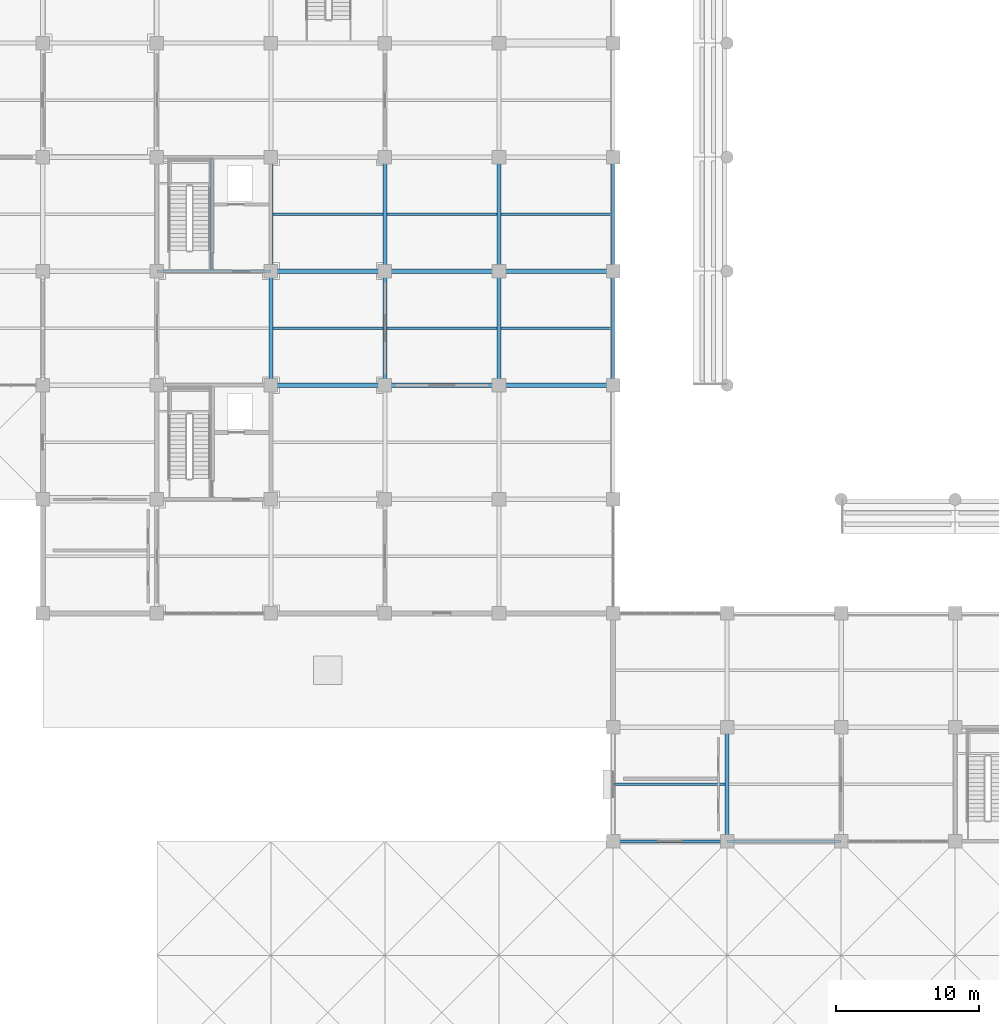
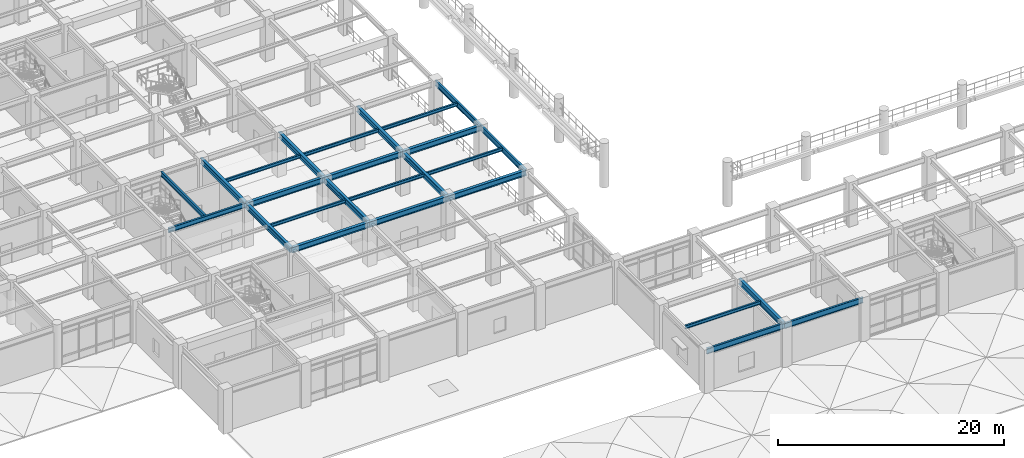
# One storey, part 10 of 109: 26 beams.
"""IFC4 building model written with IfcOpenShell, lengths in metres."""

from ifc_helpers import new_model, si_unit, direction, frame, origin, origin_2d, place, context, subcontext, project, spatial, i_section, extrude, material, material_profile, profile_set, type_object, element, save


model = new_model("IFC4")

# Units and contexts
model_context = context("Model", 3, precision=1e-05, world=origin(), true_north=direction((0.0, 1.0)))
body_context = subcontext(model_context, "Body", "Model", "MODEL_VIEW")
ifc_project = project(units=[si_unit("LENGTHUNIT", "METRE"), si_unit("AREAUNIT", "SQUARE_METRE"), si_unit("VOLUMEUNIT", "CUBIC_METRE"), si_unit("PLANEANGLEUNIT", "RADIAN"), si_unit("MASSUNIT", "GRAM", prefix="KILO")], contexts=[model_context])

# Site, building, storey
site_placement = place(None, origin())
site = spatial("IfcSite", under=ifc_project, at=site_placement, CompositionType="ELEMENT")
building_placement = place(site_placement, origin())
building = spatial("IfcBuilding", under=site, at=building_placement, Name="Haebicheon Civic Stadium", CompositionType="ELEMENT")
storey_placement = place(building_placement, frame((0.0, 0.0, 9.60009765625)))
storey = spatial("IfcBuildingStorey", under=building, at=storey_placement, Name="L03", CompositionType="ELEMENT", Elevation=9.60009765625)

# Beams
ifc_material_1 = material(Name="Steel SM355 (S355)", Category="steel")
ifc_material_profile_1 = material_profile(ifc_material_1, i_section(OverallWidth=0.199951171875, OverallDepth=0.5, WebThickness=0.010009765625, FlangeThickness=0.01611328125, at=origin_2d()), Name="H-500x200x10x16")
ifc_profile_set_1 = profile_set([ifc_material_profile_1], Name="Steel SM355 (S355)")
beam_type_1 = type_object("IfcBeamType", Name="BM-ST-H500", PredefinedType="BEAM", material=ifc_profile_set_1)
beam_1_placement = place(storey_placement, frame((32.0, 56.0, 4.289794921875), z_axis=(1.0, 0.0, 0.0), x_axis=(0.0, 1.0, 0.0)))
element("IfcBeam", 1, at=beam_1_placement, inside=storey, type_object=beam_type_1, material=ifc_profile_set_1, Name="L03 beam H/5-6", PredefinedType="BEAM", context=body_context, shape_type="SweptSolid", body=[
    extrude(i_section(OverallWidth=0.199951171875, OverallDepth=0.5, WebThickness=0.010009765625, FlangeThickness=0.01611328125, at=origin_2d()), origin(), (0.0, 0.0, 1.0), 8.0),
])
beam_2_placement = place(storey_placement, frame((35.8798828125, 56.10009765625, 4.289794921875), z_axis=(0.0, 1.0, 0.0), x_axis=(-1.0, 0.0, 0.0)))
element("IfcBeam", 2, at=beam_2_placement, inside=storey, type_object=beam_type_1, material=ifc_profile_set_1, Name="L03 KC-02 core dividing wall support beam", PredefinedType="BEAM", context=body_context, shape_type="SweptSolid", body=[
    extrude(i_section(OverallWidth=0.199951171875, OverallDepth=0.5, WebThickness=0.010009765625, FlangeThickness=0.01611328125, at=origin_2d()), origin(), (0.0, 0.0, 1.0), 7.7998046875),
])
ifc_material_2 = material(Name="Steel SM355 (S355)", Category="steel")
ifc_material_profile_2 = material_profile(ifc_material_2, i_section(OverallWidth=0.300048828125, OverallDepth=0.60009765625, WebThickness=0.011962890625, FlangeThickness=0.02001953125, at=origin_2d()), Name="H-600x300x12x20")
ifc_profile_set_2 = profile_set([ifc_material_profile_2], Name="Steel SM355 (S355)")
beam_type_2 = type_object("IfcBeamType", Name="BM-ST-H600A", PredefinedType="BEAM", material=ifc_profile_set_2)
for number, where, z_axis, x_axis, name in (
    (3, (40.0, 48.0, 4.239990234375), (0.0, 1.0, 0.0), (-1.0, 0.0, 0.0), "L03 girder 6/G-H"),
    (4, (40.0, 56.0, 4.239990234375), (0.0, 1.0, 0.0), (-1.0, 0.0, 0.0), "L03 girder 6/H-J"),
    (5, (48.0, 48.0, 4.239990234375), (0.0, 1.0, 0.0), (-1.0, 0.0, 0.0), "L03 girder 7/G-H"),
    (6, (48.0, 56.0, 4.239990234375), (0.0, 1.0, 0.0), (-1.0, 0.0, 0.0), "L03 girder 7/H-J"),
    (7, (56.0, 48.0, 4.239990234375), (0.0, 1.0, 0.0), (-1.0, 0.0, 0.0), "L03 girder 8/G-H"),
    (8, (56.0, 56.0, 4.239990234375), (0.0, 1.0, 0.0), (-1.0, 0.0, 0.0), "L03 girder 8/H-J"),
    (9, (72.0, 16.0, 4.239990234375), (0.0, 1.0, 0.0), (-1.0, 0.0, 0.0), "L03 girder 10/C-D"),
    (10, (40.0, 48.0, 4.239990234375), (1.0, 0.0, 0.0), (0.0, 1.0, 0.0), "L03 beam G/6-7"),
    (11, (40.0, 56.0, 4.239990234375), (1.0, 0.0, 0.0), (0.0, 1.0, 0.0), "L03 beam H/6-7"),
    (12, (48.0, 48.0, 4.239990234375), (1.0, 0.0, 0.0), (0.0, 1.0, 0.0), "L03 beam G/7-8"),
    (13, (48.0, 56.0, 4.239990234375), (1.0, 0.0, 0.0), (0.0, 1.0, 0.0), "L03 beam H/7-8"),
    (14, (56.0, 48.0, 4.239990234375), (1.0, 0.0, 0.0), (0.0, 1.0, 0.0), "L03 beam G/8-9"),
    (15, (56.0, 56.0, 4.239990234375), (1.0, 0.0, 0.0), (0.0, 1.0, 0.0), "L03 beam H/8-9"),
):
    element("IfcBeam", number, at=place(storey_placement, frame(where, z_axis=z_axis, x_axis=x_axis)), inside=storey, type_object=beam_type_2, material=ifc_profile_set_2, Name=name, PredefinedType="BEAM", context=body_context, shape_type="SweptSolid", body=[
        extrude(i_section(OverallWidth=0.300048828125, OverallDepth=0.60009765625, WebThickness=0.011962890625, FlangeThickness=0.02001953125, at=origin_2d()), origin(), (0.0, 0.0, 1.0), 8.0),
    ])
ifc_material_3 = material(Name="Steel SM355 (S355)", Category="steel")
ifc_material_profile_3 = material_profile(ifc_material_3, i_section(OverallWidth=0.175048828125, OverallDepth=0.35009765625, WebThickness=0.007080078125, FlangeThickness=0.010986328125, at=origin_2d()), Name="H-350x175x7x11")
ifc_profile_set_3 = profile_set([ifc_material_profile_3], Name="Steel SM355 (S355)")
beam_type_3 = type_object("IfcBeamType", Name="JST-ST-H350", PredefinedType="JOIST", material=ifc_profile_set_3)
for number, where, z_axis, x_axis, name in (
    (16, (40.14990234375, 52.0, 4.364990234375), (1.0, 0.0, 0.0), (0.0, 1.0, 0.0), "L03 secondary joist 05-06"),
    (17, (40.14990234375, 60.0, 4.364990234375), (1.0, 0.0, 0.0), (0.0, 1.0, 0.0), "L03 secondary joist 05-07"),
    (18, (48.14990234375, 52.0, 4.364990234375), (1.0, 0.0, 0.0), (0.0, 1.0, 0.0), "L03 secondary joist 06-06"),
    (19, (48.14990234375, 60.0, 4.364990234375), (1.0, 0.0, 0.0), (0.0, 1.0, 0.0), "L03 secondary joist 06-07"),
):
    element("IfcBeam", number, at=place(storey_placement, frame(where, z_axis=z_axis, x_axis=x_axis)), inside=storey, type_object=beam_type_3, material=ifc_profile_set_3, Name=name, PredefinedType="JOIST", context=body_context, shape_type="SweptSolid", body=[
        extrude(i_section(OverallWidth=0.175048828125, OverallDepth=0.35009765625, WebThickness=0.007080078125, FlangeThickness=0.010986328125, at=origin_2d()), origin(), (0.0, 0.0, 1.0), 7.7001953125),
    ])
for number, where, z_axis, x_axis, name in (
    (20, (56.14990234375, 52.0, 4.364990234375), (1.0, 0.0, 0.0), (0.0, 1.0, 0.0), "L03 secondary joist 07-06"),
    (21, (56.14990234375, 60.0, 4.364990234375), (1.0, 0.0, 0.0), (0.0, 1.0, 0.0), "L03 secondary joist 07-07"),
    (22, (64.10009765625, 20.0, 4.40478515625), (1.0, 0.0, 0.0), (0.0, 1.0, 0.0), "L03 secondary joist 08-02"),
):
    element("IfcBeam", number, at=place(storey_placement, frame(where, z_axis=z_axis, x_axis=x_axis)), inside=storey, type_object=beam_type_3, material=ifc_profile_set_3, Name=name, PredefinedType="JOIST", context=body_context, shape_type="SweptSolid", body=[
        extrude(i_section(OverallWidth=0.175048828125, OverallDepth=0.35009765625, WebThickness=0.007080078125, FlangeThickness=0.010986328125, at=origin_2d()), origin(), (0.0, 0.0, 1.0), 7.75),
    ])
ifc_material_4 = material(Name="Steel SM355 (S355)", Category="steel")
ifc_material_profile_4 = material_profile(ifc_material_4, i_section(OverallWidth=0.199951171875, OverallDepth=0.60009765625, WebThickness=0.010986328125, FlangeThickness=0.01708984375, at=origin_2d()), Name="H-600x200x11x17")
ifc_profile_set_4 = profile_set([ifc_material_profile_4], Name="Steel SM355 (S355)")
beam_type_4 = type_object("IfcBeamType", Name="SPD-ST-H600B", PredefinedType="SPANDREL", material=ifc_profile_set_4)
for number, where, z_axis, x_axis, name in (
    (23, (64.0, 48.0, 4.239990234375), (0.0, 1.0, 0.0), (-1.0, 0.0, 0.0), "L03 girder 9/G-H"),
    (24, (64.0, 56.0, 4.239990234375), (0.0, 1.0, 0.0), (-1.0, 0.0, 0.0), "L03 girder 9/H-J"),
    (25, (64.0, 16.0, 4.27978515625), (1.0, 0.0, 0.0), (0.0, 1.0, 0.0), "L03 beam C/9-10"),
    (26, (72.0, 16.0, 4.239990234375), (1.0, 0.0, 0.0), (0.0, 1.0, 0.0), "L03 beam C/10-11"),
):
    element("IfcBeam", number, at=place(storey_placement, frame(where, z_axis=z_axis, x_axis=x_axis)), inside=storey, type_object=beam_type_4, material=ifc_profile_set_4, Name=name, PredefinedType="SPANDREL", context=body_context, shape_type="SweptSolid", body=[
        extrude(i_section(OverallWidth=0.199951171875, OverallDepth=0.60009765625, WebThickness=0.010986328125, FlangeThickness=0.01708984375, at=origin_2d()), origin(), (0.0, 0.0, 1.0), 8.0),
    ])

save(model, "model.ifc")
